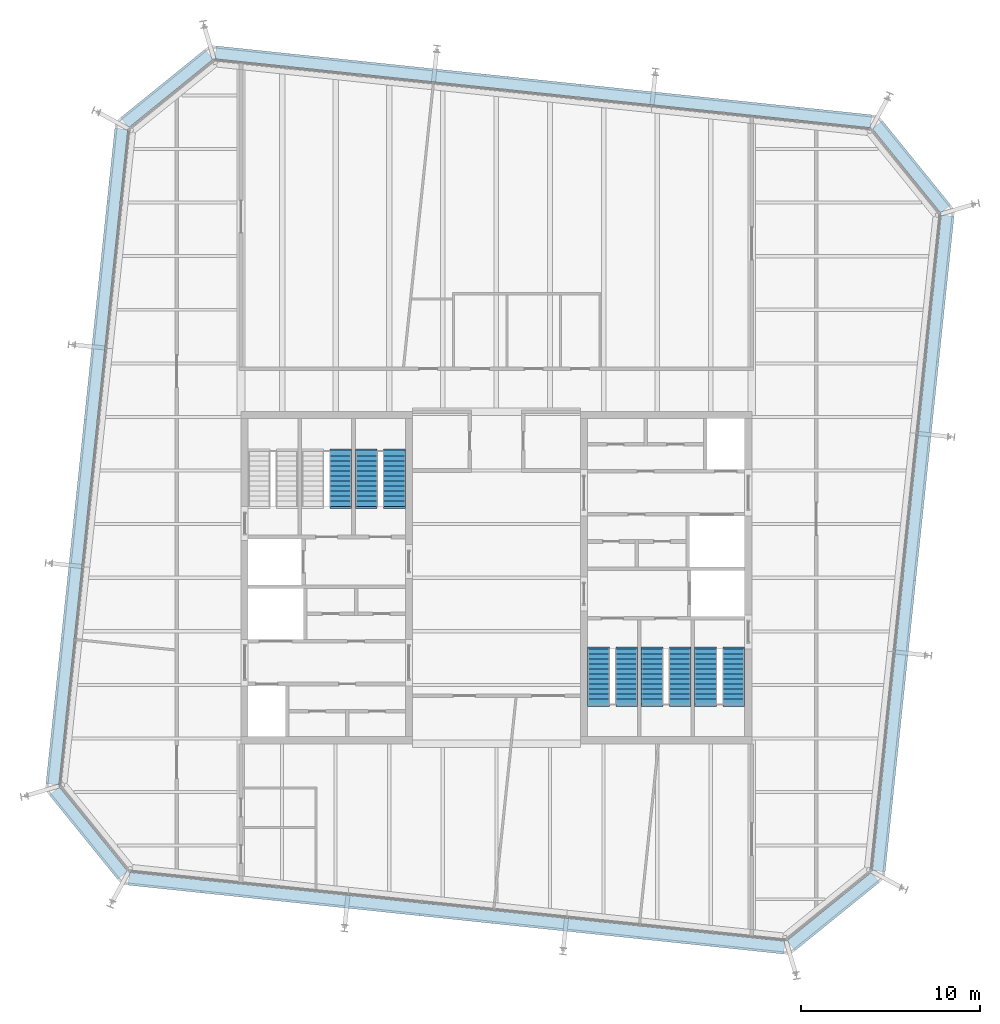
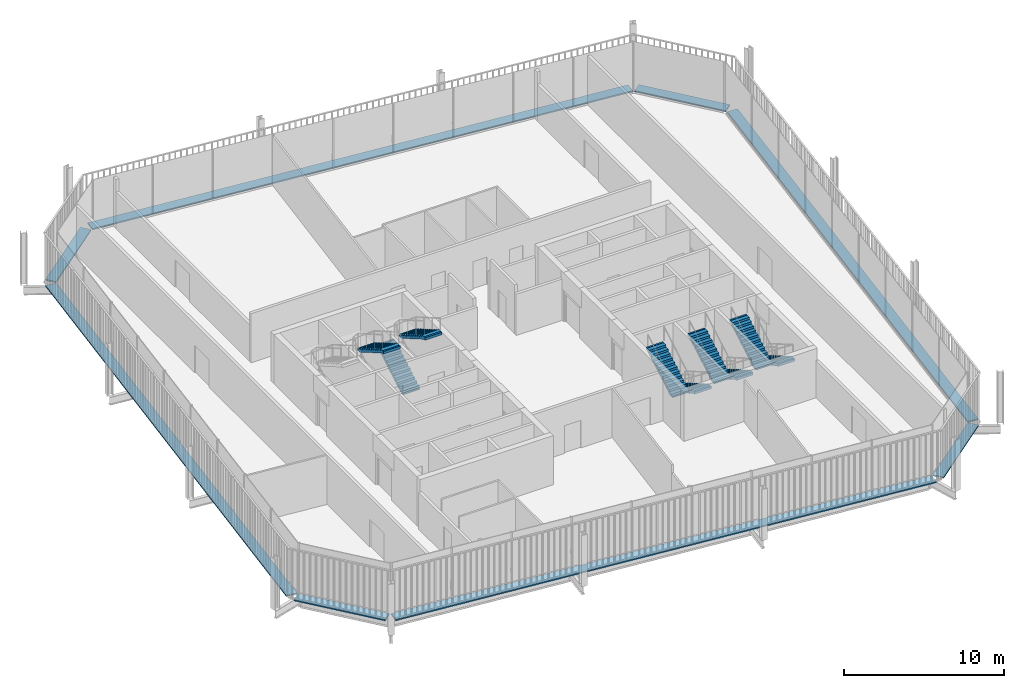
# One storey, part 19 of 20: 9 stair flights, 8 discrete accessories, 5 elements without a shape of their own.
"""IFC4 building model written with IfcOpenShell, lengths in metres."""

from ifc_helpers import new_model, si_unit, direction, frame, origin, origin_2d, place, context, subcontext, project, spatial, polyline, rectangle, outline, extrude, material, type_object, element, aggregate, save


model = new_model("IFC4")

# Units and contexts
model_context = context("Model", 3, precision=1e-05, world=origin(), true_north=direction((0.0, 1.0)))
body_context = subcontext(model_context, "Body", "Model", "MODEL_VIEW")
ifc_project = project(units=[si_unit("LENGTHUNIT", "METRE"), si_unit("AREAUNIT", "SQUARE_METRE"), si_unit("VOLUMEUNIT", "CUBIC_METRE"), si_unit("PLANEANGLEUNIT", "RADIAN"), si_unit("MASSUNIT", "GRAM", prefix="KILO")], contexts=[model_context])

# Site, building, storey
site_placement = place(None, origin())
site = spatial("IfcSite", under=ifc_project, at=site_placement, CompositionType="ELEMENT")
building_placement = place(site_placement, origin())
building = spatial("IfcBuilding", under=site, at=building_placement, Name="Millrace Tower", CompositionType="ELEMENT")
storey_placement = place(building_placement, frame((0.0, 0.0, 322.60009765625)))
storey = spatial("IfcBuildingStorey", under=building, at=storey_placement, Name="L74", CompositionType="ELEMENT", Elevation=322.60009765625)

# Stair, stair flight
ifc_material_1 = material(Name="Concrete C35", Category="concrete")
stair_type = type_object("IfcStairType", Name="Exit stair", PredefinedType="HALF_TURN_STAIR", material=ifc_material_1)
placement = place(storey_placement, origin())
stair_1 = element("IfcStair", 1, at=placement, inside=storey, type_object=stair_type, Name="Stair 2 W L74", PredefinedType="HALF_TURN_STAIR")
ifc_material_2 = material(Name="Concrete C35", Category="concrete")
stair_flight_type = type_object("IfcStairFlightType", Name="Exit stair flight", PredefinedType="STRAIGHT", material=ifc_material_2)
stair_flight_1_placement = place(storey_placement, frame((-8.7099609375, 7.080078125, 1.949951171875), z_axis=(0.0, 0.0, 1.0), x_axis=(0.0, -1.0, 0.0)))
stair_flight_1 = element("IfcStairFlight", 2, at=stair_flight_1_placement, type_object=stair_flight_type, Name="ST12 flight 2", NumberOfRisers=12, NumberOfTreads=11, PredefinedType="STRAIGHT", RiserHeight=0.1625, TreadLength=0.28, context=body_context, shape_type="SweptSolid", body=[
    extrude(outline(polyline([(-0.1201171875, -0.0400390625), (-0.1201171875, 0.0), (0.0, 0.0), (0.0, 0.16259765625), (0.280029296875, 0.16259765625), (0.280029296875, 0.324951171875), (0.56005859375, 0.324951171875), (0.56005859375, 0.487548828125), (0.840087890625, 0.487548828125), (0.840087890625, 0.64990234375), (1.1201171875, 0.64990234375), (1.1201171875, 0.8125), (1.39990234375, 0.8125), (1.39990234375, 0.97509765625), (1.679931640625, 0.97509765625), (1.679931640625, 1.137451171875), (1.9599609375, 1.137451171875), (1.9599609375, 1.300048828125), (2.239990234375, 1.300048828125), (2.239990234375, 1.46240234375), (2.52001953125, 1.46240234375), (2.52001953125, 1.625), (2.800048828125, 1.625), (2.800048828125, 1.78759765625), (3.080078125, 1.78759765625), (3.080078125, 1.8076171875), (3.199951171875, 1.8076171875), (3.199951171875, 1.6142578125), (3.080078125, 1.6142578125), (0.298583984375, 0.0), (0.298583984375, -0.0400390625), (-0.1201171875, -0.0400390625)])), frame((0.0, 0.60986328125, 0.0), z_axis=(0.0, -1.0, 0.0), x_axis=(1.0, 0.0, 0.0)), (0.0, 0.0, 1.0), 1.219970703125),
])
aggregate(stair_1, [stair_flight_1])

# Stair, stair flights
stair_2 = element("IfcStair", 3, at=placement, inside=storey, type_object=stair_type, Name="Stair 3 W L74", PredefinedType="HALF_TURN_STAIR")
stair_flight_2_placement = place(storey_placement, frame((-7.2900390625, 4.0, 0.0), z_axis=(0.0, 0.0, 1.0), x_axis=(0.0, 1.0, 0.0)))
stair_flight_2 = element("IfcStairFlight", 4, at=stair_flight_2_placement, type_object=stair_flight_type, Name="ST12 flight 1", NumberOfRisers=12, NumberOfTreads=11, PredefinedType="STRAIGHT", RiserHeight=0.1625, TreadLength=0.28, context=body_context, shape_type="SweptSolid", body=[
    extrude(outline(polyline([(-0.1201171875, -0.0400390625), (-0.1201171875, 0.0), (0.0, 0.0), (0.0, 0.16259765625), (0.280029296875, 0.16259765625), (0.280029296875, 0.324951171875), (0.56005859375, 0.324951171875), (0.56005859375, 0.487548828125), (0.840087890625, 0.487548828125), (0.840087890625, 0.64990234375), (1.1201171875, 0.64990234375), (1.1201171875, 0.8125), (1.39990234375, 0.8125), (1.39990234375, 0.97509765625), (1.679931640625, 0.97509765625), (1.679931640625, 1.137451171875), (1.9599609375, 1.137451171875), (1.9599609375, 1.300048828125), (2.239990234375, 1.300048828125), (2.239990234375, 1.46240234375), (2.52001953125, 1.46240234375), (2.52001953125, 1.625), (2.800048828125, 1.625), (2.800048828125, 1.78759765625), (3.080078125, 1.78759765625), (3.080078125, 1.8076171875), (3.199951171875, 1.8076171875), (3.199951171875, 1.6142578125), (3.080078125, 1.6142578125), (0.298583984375, 0.0), (0.298583984375, -0.0400390625), (-0.1201171875, -0.0400390625)])), frame((0.0, 0.60986328125, 0.0), z_axis=(0.0, -1.0, 0.0), x_axis=(1.0, 0.0, 0.0)), (0.0, 0.0, 1.0), 1.219970703125),
])
stair_flight_3_placement = place(storey_placement, frame((-5.7099609375, 7.080078125, 1.949951171875), z_axis=(0.0, 0.0, 1.0), x_axis=(0.0, -1.0, 0.0)))
stair_flight_3 = element("IfcStairFlight", 5, at=stair_flight_3_placement, type_object=stair_flight_type, Name="ST12 flight 2", NumberOfRisers=12, NumberOfTreads=11, PredefinedType="STRAIGHT", RiserHeight=0.1625, TreadLength=0.28, context=body_context, shape_type="SweptSolid", body=[
    extrude(outline(polyline([(-0.1201171875, -0.0400390625), (-0.1201171875, 0.0), (0.0, 0.0), (0.0, 0.16259765625), (0.280029296875, 0.16259765625), (0.280029296875, 0.324951171875), (0.56005859375, 0.324951171875), (0.56005859375, 0.487548828125), (0.840087890625, 0.487548828125), (0.840087890625, 0.64990234375), (1.1201171875, 0.64990234375), (1.1201171875, 0.8125), (1.39990234375, 0.8125), (1.39990234375, 0.97509765625), (1.679931640625, 0.97509765625), (1.679931640625, 1.137451171875), (1.9599609375, 1.137451171875), (1.9599609375, 1.300048828125), (2.239990234375, 1.300048828125), (2.239990234375, 1.46240234375), (2.52001953125, 1.46240234375), (2.52001953125, 1.625), (2.800048828125, 1.625), (2.800048828125, 1.78759765625), (3.080078125, 1.78759765625), (3.080078125, 1.8076171875), (3.199951171875, 1.8076171875), (3.199951171875, 1.6142578125), (3.080078125, 1.6142578125), (0.298583984375, 0.0), (0.298583984375, -0.0400390625), (-0.1201171875, -0.0400390625)])), frame((0.0, 0.60986328125, 0.0), z_axis=(0.0, -1.0, 0.0), x_axis=(1.0, 0.0, 0.0)), (0.0, 0.0, 1.0), 1.219970703125),
])
aggregate(stair_2, [stair_flight_2, stair_flight_3])

stair_3 = element("IfcStair", 6, at=placement, inside=storey, type_object=stair_type, Name="Stair 1 E L74", PredefinedType="HALF_TURN_STAIR")
stair_flight_4_placement = place(storey_placement, frame((13.2900390625, -4.0, 0.0), z_axis=(0.0, 0.0, 1.0), x_axis=(0.0, -1.0, 0.0)))
stair_flight_4 = element("IfcStairFlight", 7, at=stair_flight_4_placement, type_object=stair_flight_type, Name="ST12 flight 1", NumberOfRisers=12, NumberOfTreads=11, PredefinedType="STRAIGHT", RiserHeight=0.1625, TreadLength=0.28, context=body_context, shape_type="SweptSolid", body=[
    extrude(outline(polyline([(-0.1201171875, -0.0400390625), (-0.1201171875, 0.0), (0.0, 0.0), (0.0, 0.16259765625), (0.280029296875, 0.16259765625), (0.280029296875, 0.324951171875), (0.56005859375, 0.324951171875), (0.56005859375, 0.487548828125), (0.840087890625, 0.487548828125), (0.840087890625, 0.64990234375), (1.1201171875, 0.64990234375), (1.1201171875, 0.8125), (1.39990234375, 0.8125), (1.39990234375, 0.97509765625), (1.679931640625, 0.97509765625), (1.679931640625, 1.137451171875), (1.9599609375, 1.137451171875), (1.9599609375, 1.300048828125), (2.239990234375, 1.300048828125), (2.239990234375, 1.46240234375), (2.52001953125, 1.46240234375), (2.52001953125, 1.625), (2.800048828125, 1.625), (2.800048828125, 1.78759765625), (3.080078125, 1.78759765625), (3.080078125, 1.8076171875), (3.199951171875, 1.8076171875), (3.199951171875, 1.6142578125), (3.080078125, 1.6142578125), (0.298583984375, 0.0), (0.298583984375, -0.0400390625), (-0.1201171875, -0.0400390625)])), frame((0.0, 0.60986328125, 0.0), z_axis=(0.0, -1.0, 0.0), x_axis=(1.0, 0.0, 0.0)), (0.0, 0.0, 1.0), 1.219970703125),
])
stair_flight_5_placement = place(storey_placement, frame((11.7099609375, -7.080078125, 1.949951171875), z_axis=(0.0, 0.0, 1.0), x_axis=(0.0, 1.0, 0.0)))
stair_flight_5 = element("IfcStairFlight", 8, at=stair_flight_5_placement, type_object=stair_flight_type, Name="ST12 flight 2", NumberOfRisers=12, NumberOfTreads=11, PredefinedType="STRAIGHT", RiserHeight=0.1625, TreadLength=0.28, context=body_context, shape_type="SweptSolid", body=[
    extrude(outline(polyline([(-0.1201171875, -0.0400390625), (-0.1201171875, 0.0), (0.0, 0.0), (0.0, 0.16259765625), (0.280029296875, 0.16259765625), (0.280029296875, 0.324951171875), (0.56005859375, 0.324951171875), (0.56005859375, 0.487548828125), (0.840087890625, 0.487548828125), (0.840087890625, 0.64990234375), (1.1201171875, 0.64990234375), (1.1201171875, 0.8125), (1.39990234375, 0.8125), (1.39990234375, 0.97509765625), (1.679931640625, 0.97509765625), (1.679931640625, 1.137451171875), (1.9599609375, 1.137451171875), (1.9599609375, 1.300048828125), (2.239990234375, 1.300048828125), (2.239990234375, 1.46240234375), (2.52001953125, 1.46240234375), (2.52001953125, 1.625), (2.800048828125, 1.625), (2.800048828125, 1.78759765625), (3.080078125, 1.78759765625), (3.080078125, 1.8076171875), (3.199951171875, 1.8076171875), (3.199951171875, 1.6142578125), (3.080078125, 1.6142578125), (0.298583984375, 0.0), (0.298583984375, -0.0400390625), (-0.1201171875, -0.0400390625)])), frame((0.0, 0.60986328125, 0.0), z_axis=(0.0, -1.0, 0.0), x_axis=(1.0, 0.0, 0.0)), (0.0, 0.0, 1.0), 1.219970703125),
])
aggregate(stair_3, [stair_flight_4, stair_flight_5])

stair_4 = element("IfcStair", 9, at=placement, inside=storey, type_object=stair_type, Name="Stair 2 E L74", PredefinedType="HALF_TURN_STAIR")
stair_flight_6_placement = place(storey_placement, frame((10.2900390625, -4.0, 0.0), z_axis=(0.0, 0.0, 1.0), x_axis=(0.0, -1.0, 0.0)))
stair_flight_6 = element("IfcStairFlight", 10, at=stair_flight_6_placement, type_object=stair_flight_type, Name="ST12 flight 1", NumberOfRisers=12, NumberOfTreads=11, PredefinedType="STRAIGHT", RiserHeight=0.1625, TreadLength=0.28, context=body_context, shape_type="SweptSolid", body=[
    extrude(outline(polyline([(-0.1201171875, -0.0400390625), (-0.1201171875, 0.0), (0.0, 0.0), (0.0, 0.16259765625), (0.280029296875, 0.16259765625), (0.280029296875, 0.324951171875), (0.56005859375, 0.324951171875), (0.56005859375, 0.487548828125), (0.840087890625, 0.487548828125), (0.840087890625, 0.64990234375), (1.1201171875, 0.64990234375), (1.1201171875, 0.8125), (1.39990234375, 0.8125), (1.39990234375, 0.97509765625), (1.679931640625, 0.97509765625), (1.679931640625, 1.137451171875), (1.9599609375, 1.137451171875), (1.9599609375, 1.300048828125), (2.239990234375, 1.300048828125), (2.239990234375, 1.46240234375), (2.52001953125, 1.46240234375), (2.52001953125, 1.625), (2.800048828125, 1.625), (2.800048828125, 1.78759765625), (3.080078125, 1.78759765625), (3.080078125, 1.8076171875), (3.199951171875, 1.8076171875), (3.199951171875, 1.6142578125), (3.080078125, 1.6142578125), (0.298583984375, 0.0), (0.298583984375, -0.0400390625), (-0.1201171875, -0.0400390625)])), frame((0.0, 0.60986328125, 0.0), z_axis=(0.0, -1.0, 0.0), x_axis=(1.0, 0.0, 0.0)), (0.0, 0.0, 1.0), 1.219970703125),
])
stair_flight_7_placement = place(storey_placement, frame((8.7099609375, -7.080078125, 1.949951171875), z_axis=(0.0, 0.0, 1.0), x_axis=(0.0, 1.0, 0.0)))
stair_flight_7 = element("IfcStairFlight", 11, at=stair_flight_7_placement, type_object=stair_flight_type, Name="ST12 flight 2", NumberOfRisers=12, NumberOfTreads=11, PredefinedType="STRAIGHT", RiserHeight=0.1625, TreadLength=0.28, context=body_context, shape_type="SweptSolid", body=[
    extrude(outline(polyline([(-0.1201171875, -0.0400390625), (-0.1201171875, 0.0), (0.0, 0.0), (0.0, 0.16259765625), (0.280029296875, 0.16259765625), (0.280029296875, 0.324951171875), (0.56005859375, 0.324951171875), (0.56005859375, 0.487548828125), (0.840087890625, 0.487548828125), (0.840087890625, 0.64990234375), (1.1201171875, 0.64990234375), (1.1201171875, 0.8125), (1.39990234375, 0.8125), (1.39990234375, 0.97509765625), (1.679931640625, 0.97509765625), (1.679931640625, 1.137451171875), (1.9599609375, 1.137451171875), (1.9599609375, 1.300048828125), (2.239990234375, 1.300048828125), (2.239990234375, 1.46240234375), (2.52001953125, 1.46240234375), (2.52001953125, 1.625), (2.800048828125, 1.625), (2.800048828125, 1.78759765625), (3.080078125, 1.78759765625), (3.080078125, 1.8076171875), (3.199951171875, 1.8076171875), (3.199951171875, 1.6142578125), (3.080078125, 1.6142578125), (0.298583984375, 0.0), (0.298583984375, -0.0400390625), (-0.1201171875, -0.0400390625)])), frame((0.0, 0.60986328125, 0.0), z_axis=(0.0, -1.0, 0.0), x_axis=(1.0, 0.0, 0.0)), (0.0, 0.0, 1.0), 1.219970703125),
])
aggregate(stair_4, [stair_flight_6, stair_flight_7])

stair_5 = element("IfcStair", 12, at=placement, inside=storey, type_object=stair_type, Name="Stair 3 E L74", PredefinedType="HALF_TURN_STAIR")
stair_flight_8_placement = place(storey_placement, frame((7.2900390625, -4.0, 0.0), z_axis=(0.0, 0.0, 1.0), x_axis=(0.0, -1.0, 0.0)))
stair_flight_8 = element("IfcStairFlight", 13, at=stair_flight_8_placement, type_object=stair_flight_type, Name="ST12 flight 1", NumberOfRisers=12, NumberOfTreads=11, PredefinedType="STRAIGHT", RiserHeight=0.1625, TreadLength=0.28, context=body_context, shape_type="SweptSolid", body=[
    extrude(outline(polyline([(-0.1201171875, -0.0400390625), (-0.1201171875, 0.0), (0.0, 0.0), (0.0, 0.16259765625), (0.280029296875, 0.16259765625), (0.280029296875, 0.324951171875), (0.56005859375, 0.324951171875), (0.56005859375, 0.487548828125), (0.840087890625, 0.487548828125), (0.840087890625, 0.64990234375), (1.1201171875, 0.64990234375), (1.1201171875, 0.8125), (1.39990234375, 0.8125), (1.39990234375, 0.97509765625), (1.679931640625, 0.97509765625), (1.679931640625, 1.137451171875), (1.9599609375, 1.137451171875), (1.9599609375, 1.300048828125), (2.239990234375, 1.300048828125), (2.239990234375, 1.46240234375), (2.52001953125, 1.46240234375), (2.52001953125, 1.625), (2.800048828125, 1.625), (2.800048828125, 1.78759765625), (3.080078125, 1.78759765625), (3.080078125, 1.8076171875), (3.199951171875, 1.8076171875), (3.199951171875, 1.6142578125), (3.080078125, 1.6142578125), (0.298583984375, 0.0), (0.298583984375, -0.0400390625), (-0.1201171875, -0.0400390625)])), frame((0.0, 0.60986328125, 0.0), z_axis=(0.0, -1.0, 0.0), x_axis=(1.0, 0.0, 0.0)), (0.0, 0.0, 1.0), 1.219970703125),
])
stair_flight_9_placement = place(storey_placement, frame((5.7099609375, -7.080078125, 1.949951171875), z_axis=(0.0, 0.0, 1.0), x_axis=(0.0, 1.0, 0.0)))
stair_flight_9 = element("IfcStairFlight", 14, at=stair_flight_9_placement, type_object=stair_flight_type, Name="ST12 flight 2", NumberOfRisers=12, NumberOfTreads=11, PredefinedType="STRAIGHT", RiserHeight=0.1625, TreadLength=0.28, context=body_context, shape_type="SweptSolid", body=[
    extrude(outline(polyline([(-0.1201171875, -0.0400390625), (-0.1201171875, 0.0), (0.0, 0.0), (0.0, 0.16259765625), (0.280029296875, 0.16259765625), (0.280029296875, 0.324951171875), (0.56005859375, 0.324951171875), (0.56005859375, 0.487548828125), (0.840087890625, 0.487548828125), (0.840087890625, 0.64990234375), (1.1201171875, 0.64990234375), (1.1201171875, 0.8125), (1.39990234375, 0.8125), (1.39990234375, 0.97509765625), (1.679931640625, 0.97509765625), (1.679931640625, 1.137451171875), (1.9599609375, 1.137451171875), (1.9599609375, 1.300048828125), (2.239990234375, 1.300048828125), (2.239990234375, 1.46240234375), (2.52001953125, 1.46240234375), (2.52001953125, 1.625), (2.800048828125, 1.625), (2.800048828125, 1.78759765625), (3.080078125, 1.78759765625), (3.080078125, 1.8076171875), (3.199951171875, 1.8076171875), (3.199951171875, 1.6142578125), (3.080078125, 1.6142578125), (0.298583984375, 0.0), (0.298583984375, -0.0400390625), (-0.1201171875, -0.0400390625)])), frame((0.0, 0.60986328125, 0.0), z_axis=(0.0, -1.0, 0.0), x_axis=(1.0, 0.0, 0.0)), (0.0, 0.0, 1.0), 1.219970703125),
])
aggregate(stair_5, [stair_flight_8, stair_flight_9])

# Discrete accessories
ifc_material_3 = material(Name="Stainless steel ASTM A240 type 316", Category="steel")
discrete_accessory_type = type_object("IfcDiscreteAccessoryType", Name="Thermally broken screen support rail", PredefinedType="BRACKET", material=ifc_material_3)
discrete_accessory_1_placement = place(storey_placement, frame((-22.836669921875, -14.304931640625, -0.000244140625), z_axis=(0.0, 0.0, 1.0), x_axis=(0.629320278945, -0.777146052237, 0.0)))
element("IfcDiscreteAccessory", 15, at=discrete_accessory_1_placement, inside=storey, type_object=discrete_accessory_type, Name="Thermally broken screen support rail E-F01 L74 1", PredefinedType="BRACKET", context=body_context, shape_type="SweptSolid", body=[
    extrude(rectangle(XDim=6.0810546875, YDim=0.719970703125, at=origin_2d()), origin(), (0.0, 0.0, 1.0), 0.10009765625),
])
discrete_accessory_2_placement = place(storey_placement, frame((-2.2314453125, -18.782470703125, -0.000244140625), z_axis=(0.0, 0.0, 1.0), x_axis=(0.994521896217, -0.104528455196, 0.0)))
element("IfcDiscreteAccessory", 16, at=discrete_accessory_2_placement, inside=storey, type_object=discrete_accessory_type, Name="Thermally broken screen support rail E-F02 L74 1", PredefinedType="BRACKET", context=body_context, shape_type="SweptSolid", body=[
    extrude(rectangle(XDim=36.89990234375, YDim=0.719970703125, at=origin_2d()), origin(), (0.0, 0.0, 1.0), 0.10009765625),
])
discrete_accessory_3_placement = place(storey_placement, frame((18.854736328125, -18.686767578125, -0.000244140625), z_axis=(0.0, 0.0, 1.0), x_axis=(0.777146052237, 0.629320278945, 0.0)))
element("IfcDiscreteAccessory", 17, at=discrete_accessory_3_placement, inside=storey, type_object=discrete_accessory_type, Name="Thermally broken screen support rail E-F03 L74 1", PredefinedType="BRACKET", context=body_context, shape_type="SweptSolid", body=[
    extrude(rectangle(XDim=6.0810546875, YDim=0.719970703125, at=origin_2d()), origin(), (0.0, 0.0, 1.0), 0.10009765625),
])
discrete_accessory_4_placement = place(storey_placement, frame((23.33251953125, 1.918701171875, -0.000244140625), z_axis=(0.0, 0.0, 1.0), x_axis=(0.104528455196, 0.994521896217, 0.0)))
element("IfcDiscreteAccessory", 18, at=discrete_accessory_4_placement, inside=storey, type_object=discrete_accessory_type, Name="Thermally broken screen support rail E-F04 L74 1", PredefinedType="BRACKET", context=body_context, shape_type="SweptSolid", body=[
    extrude(rectangle(XDim=36.89990234375, YDim=0.719970703125, at=origin_2d()), origin(), (0.0, 0.0, 1.0), 0.10009765625),
])
discrete_accessory_5_placement = place(storey_placement, frame((23.23681640625, 23.0048828125, -0.000244140625), z_axis=(0.0, 0.0, 1.0), x_axis=(-0.629320278945, 0.777146052237, 0.0)))
element("IfcDiscreteAccessory", 19, at=discrete_accessory_5_placement, inside=storey, type_object=discrete_accessory_type, Name="Thermally broken screen support rail E-F05 L74 1", PredefinedType="BRACKET", context=body_context, shape_type="SweptSolid", body=[
    extrude(rectangle(XDim=6.0810546875, YDim=0.719970703125, at=origin_2d()), origin(), (0.0, 0.0, 1.0), 0.10009765625),
])
discrete_accessory_6_placement = place(storey_placement, frame((2.63134765625, 27.482666015625, -0.000244140625), z_axis=(0.0, 0.0, 1.0), x_axis=(-0.994521896217, 0.104528455196, 0.0)))
element("IfcDiscreteAccessory", 20, at=discrete_accessory_6_placement, inside=storey, type_object=discrete_accessory_type, Name="Thermally broken screen support rail E-F06 L74 1", PredefinedType="BRACKET", context=body_context, shape_type="SweptSolid", body=[
    extrude(rectangle(XDim=36.89990234375, YDim=0.719970703125, at=origin_2d()), origin(), (0.0, 0.0, 1.0), 0.10009765625),
])
discrete_accessory_7_placement = place(storey_placement, frame((-18.454833984375, 27.38671875, -0.000244140625), z_axis=(0.0, 0.0, 1.0), x_axis=(-0.777146052237, -0.629320278945, 0.0)))
element("IfcDiscreteAccessory", 21, at=discrete_accessory_7_placement, inside=storey, type_object=discrete_accessory_type, Name="Thermally broken screen support rail E-F07 L74 1", PredefinedType="BRACKET", context=body_context, shape_type="SweptSolid", body=[
    extrude(rectangle(XDim=6.0810546875, YDim=0.719970703125, at=origin_2d()), origin(), (0.0, 0.0, 1.0), 0.10009765625),
])
discrete_accessory_8_placement = place(storey_placement, frame((-22.9326171875, 6.78125, -0.000244140625), z_axis=(0.0, 0.0, 1.0), x_axis=(-0.104528455196, -0.994521896217, 0.0)))
element("IfcDiscreteAccessory", 22, at=discrete_accessory_8_placement, inside=storey, type_object=discrete_accessory_type, Name="Thermally broken screen support rail E-F08 L74 1", PredefinedType="BRACKET", context=body_context, shape_type="SweptSolid", body=[
    extrude(rectangle(XDim=36.89990234375, YDim=0.719970703125, at=origin_2d()), origin(), (0.0, 0.0, 1.0), 0.10009765625),
])

save(model, "model.ifc")
